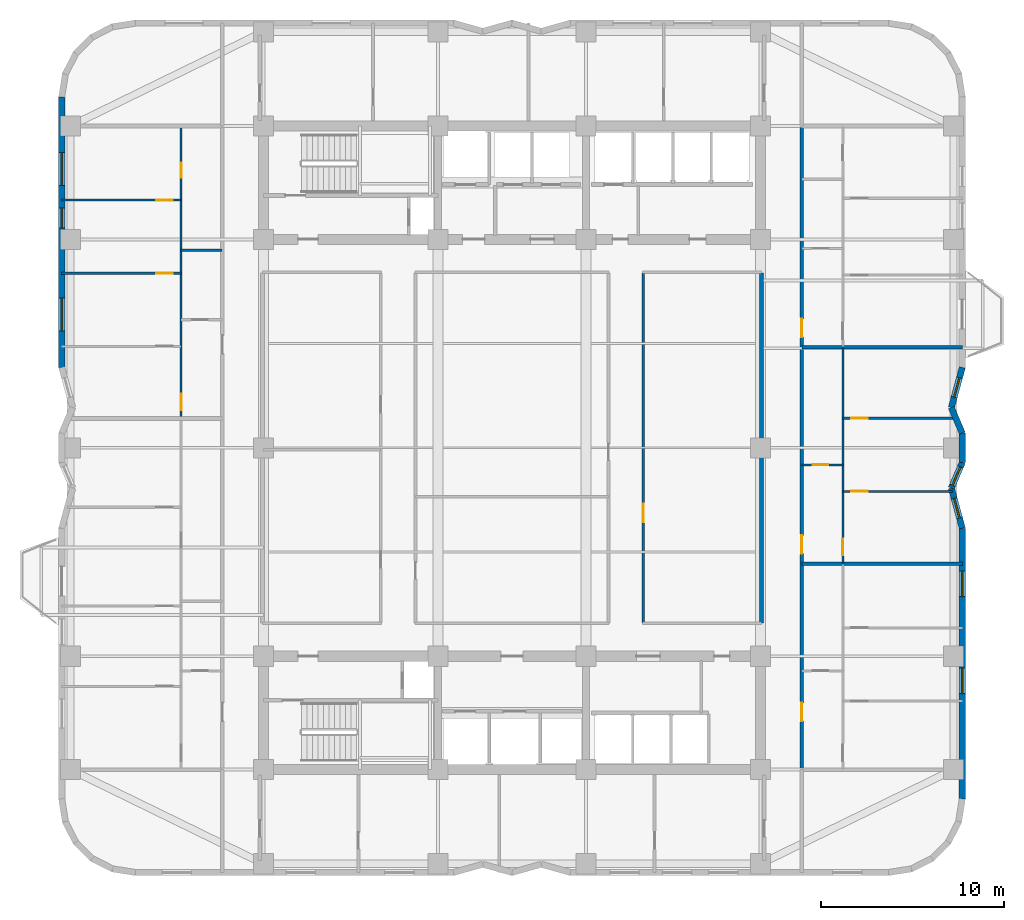
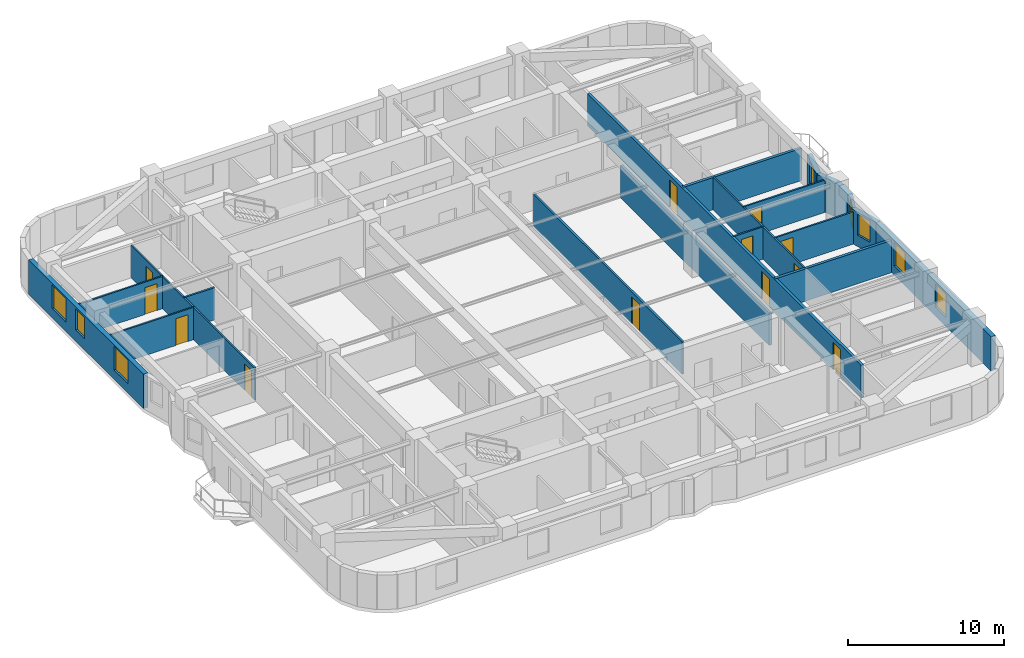
# One storey, part 5 of 9: 20 walls, 12 doors, 8 windows, 20 openings.
"""IFC4 building model written with IfcOpenShell, lengths in metres."""

import ifcopenshell
import ifcopenshell.guid

model = None  # the IFC model being written
_history = None  # IfcOwnerHistory: only IFC2X3 demands one
_inside = {}  # id of a spatial element -> (the spatial element, [elements in it])
_under = {}  # id of a project, library or spatial element -> (it, [spatial elements below it])
_declared = {}  # id of a project -> (the project, [libraries it declares])
_typed = {}  # id of a type object -> (the type object, [elements of that type])
_made_of = {}  # id of a material, layer set ... -> (it, [elements and type objects made of it])


def new_model(schema):
    """Start an empty IFC model of exactly this schema.

    Asked for "IFC4X3", IfcOpenShell would pick the latest addendum, in which some entities
    have other attributes; the version numbers below select the first issue.
    IFC2X3 requires an IfcOwnerHistory on every rooted entity: one is made here for all.
    """
    global model, _history
    if schema == "IFC4X3":
        model = ifcopenshell.file(schema_version=(4, 3, 0, 0))
    else:
        model = ifcopenshell.file(schema=schema)
    _inside.clear()
    _under.clear()
    _declared.clear()
    _typed.clear()
    _made_of.clear()
    _history = None
    if model.schema == "IFC2X3":
        org = make("IfcOrganization", Name="unknown")
        user = make(
            "IfcPersonAndOrganization",
            ThePerson=make("IfcPerson", FamilyName="unknown"),
            TheOrganization=org,
        )
        app = make(
            "IfcApplication",
            ApplicationDeveloper=org,
            Version="unknown",
            ApplicationFullName="unknown",
            ApplicationIdentifier="unknown",
        )
        _history = make(
            "IfcOwnerHistory",
            OwningUser=user,
            OwningApplication=app,
            ChangeAction="ADDED",
            CreationDate=0,
        )
    return model


def make(cls, **values):
    """One entity of the class cls with the attributes given. An attribute that is None is left unset."""
    return model.create_entity(
        cls, **{name: value for name, value in values.items() if value is not None}
    )


def rooted(cls, **values):
    """An entity with a GlobalId (a new one), such as an element, a storey or a relation."""
    return make(cls, GlobalId=ifcopenshell.guid.new(), OwnerHistory=_history, **values)


def si_unit(unit_type, name, prefix=None):
    """IfcSIUnit, for example si_unit("LENGTHUNIT", "METRE", prefix="MILLI")."""
    return make("IfcSIUnit", UnitType=unit_type, Prefix=prefix, Name=name)


def assignment(units):
    """IfcUnitAssignment: the units of a project."""
    return None if units is None else make("IfcUnitAssignment", Units=units)


def point(xyz):
    """IfcCartesianPoint."""
    return None if xyz is None else make("IfcCartesianPoint", Coordinates=xyz)


def direction(xyz):
    """IfcDirection."""
    return None if xyz is None else make("IfcDirection", DirectionRatios=xyz)


def frame(location, z_axis=None, x_axis=None):
    """IfcAxis2Placement3D, a coordinate frame: its origin and axes. An axis left out is left unset."""
    return make(
        "IfcAxis2Placement3D",
        Location=point(location),
        Axis=direction(z_axis),
        RefDirection=direction(x_axis),
    )


def frame_2d(location, x_axis=None):
    """IfcAxis2Placement2D, a coordinate frame in the plane: its origin and x axis."""
    return make(
        "IfcAxis2Placement2D", Location=point(location), RefDirection=direction(x_axis)
    )


def origin():
    """The frame at (0, 0, 0) with its axes left unset."""
    return frame((0.0, 0.0, 0.0))


def place(relative_to, where):
    """IfcLocalPlacement: puts the frame where relative to a parent placement (None: the world)."""
    return make(
        "IfcLocalPlacement", PlacementRelTo=relative_to, RelativePlacement=where
    )


def context(
    kind, dimensions, precision=None, world=None, true_north=None, identifier=None
):
    """IfcGeometricRepresentationContext, for example the 3D "Model" context."""
    return make(
        "IfcGeometricRepresentationContext",
        ContextIdentifier=identifier,
        ContextType=kind,
        CoordinateSpaceDimension=dimensions,
        Precision=precision,
        WorldCoordinateSystem=world,
        TrueNorth=true_north,
    )


def subcontext(parent, identifier, kind, view, scale=None):
    """IfcGeometricRepresentationSubContext, for example "Body" below "Model"."""
    return make(
        "IfcGeometricRepresentationSubContext",
        ContextIdentifier=identifier,
        ContextType=kind,
        ParentContext=parent,
        TargetScale=scale,
        TargetView=view,
    )


def project(units=None, contexts=None):
    """IfcProject with its units and contexts."""
    return rooted(
        "IfcProject",
        Name="project",
        RepresentationContexts=contexts,
        UnitsInContext=assignment(units),
    )


def spatial(cls, under=None, at=None, **own):
    """A site, building, storey or space (cls), placed at a placement, below another one or the project."""
    s = rooted(cls, ObjectPlacement=at, **own)
    if under is not None:
        _under.setdefault(under.id(), (under, []))[1].append(s)
    return s


def profile(cls, at=None, kind="AREA", **sizes):
    """A parametric profile (cls). Its sizes go by their IFC names, for example OverallWidth=200.0."""
    return make(cls, ProfileType=kind, Position=at, **sizes)


def rectangle(**sizes):
    """IfcRectangleProfileDef."""
    return profile("IfcRectangleProfileDef", **sizes)


def extrude(swept, where, along, depth):
    """IfcExtrudedAreaSolid: the profile swept, set in the frame where, extruded along a direction by depth."""
    return make(
        "IfcExtrudedAreaSolid",
        SweptArea=swept,
        Position=where,
        ExtrudedDirection=direction(along),
        Depth=depth,
    )


def shape(context_of_items, identifier, shape_type, items):
    """IfcShapeRepresentation: the items that make up one representation, for example the "Body"."""
    return make(
        "IfcShapeRepresentation",
        ContextOfItems=context_of_items,
        RepresentationIdentifier=identifier,
        RepresentationType=shape_type,
        Items=items,
    )


def material(Name=None, Category=None):
    """IfcMaterial."""
    return make("IfcMaterial", Name=Name, Category=Category)


def layer(
    of_material, thickness, ventilated=None, Name=None, Category=None, Priority=None
):
    """IfcMaterialLayer: one layer of a wall or slab, of a material (None: an air gap)."""
    return make(
        "IfcMaterialLayer",
        Material=of_material,
        LayerThickness=thickness,
        IsVentilated=ventilated,
        Name=Name,
        Category=Category,
        Priority=Priority,
    )


def layer_set(layers, Name=None):
    """IfcMaterialLayerSet."""
    return make("IfcMaterialLayerSet", MaterialLayers=layers, LayerSetName=Name)


def made_of(thing, what):
    """Note that an element or type object is made of a material, layer set ...; save() writes the relation."""
    if what is not None:
        _made_of.setdefault(what.id(), (what, []))[1].append(thing)
    return thing


def type_object(cls, material=None, **own):
    """A type object (cls), such as IfcWallType, which elements share."""
    return made_of(rooted(cls, **own), material)


def element(
    cls,
    number,
    at=None,
    inside=None,
    cuts=None,
    type_object=None,
    material=None,
    context=None,
    identifier="Body",
    shape_type=None,
    held_by="IfcProductDefinitionShape",
    body=None,
    shapes=None,
    **own,
):
    """One element of the class cls, such as IfcWall. Its Tag is "e" and its number.

    at: its placement. inside: the storey or other place that contains it. cuts: it is an
    opening in that element (IfcRelVoidsElement). A single representation is given by context,
    identifier, shape_type and body (its items); several are given by shapes. held_by: the class
    of the entity that holds the representations. save() writes the other relations.
    """
    e = rooted(cls, Tag="e%d" % number, ObjectPlacement=at, **own)
    if body is not None:
        shapes = [shape(context, identifier, shape_type, body)]
    if shapes is not None:
        e.Representation = make(held_by, Representations=shapes)
    if inside is not None:
        _inside.setdefault(inside.id(), (inside, []))[1].append(e)
    if cuts is not None:
        rooted(
            "IfcRelVoidsElement", RelatingBuildingElement=cuts, RelatedOpeningElement=e
        )
    if type_object is not None:
        _typed.setdefault(type_object.id(), (type_object, []))[1].append(e)
    return made_of(e, material)


def fill(opening, filler):
    """IfcRelFillsElement: the door or window that sits in an opening."""
    return rooted(
        "IfcRelFillsElement",
        RelatingOpeningElement=opening,
        RelatedBuildingElement=filler,
    )


def aggregate(whole, parts):
    """IfcRelAggregates: a whole, such as a stair, and the parts it consists of."""
    return rooted("IfcRelAggregates", RelatingObject=whole, RelatedObjects=parts)


def save(model, path):
    """Write the relations noted so far, then the file.

    IfcRelAggregates (storeys below a building ...), IfcRelContainedInSpatialStructure (elements
    in a storey), IfcRelDefinesByType, IfcRelAssociatesMaterial and IfcRelDeclares: one each for
    every whole, place, type object, material and project.
    """
    for whole, parts in _under.values():
        aggregate(whole, parts)
    for where, things in _inside.values():
        rooted(
            "IfcRelContainedInSpatialStructure",
            RelatedElements=things,
            RelatingStructure=where,
        )
    for kind, things in _typed.values():
        rooted("IfcRelDefinesByType", RelatedObjects=things, RelatingType=kind)
    for what, things in _made_of.values():
        rooted("IfcRelAssociatesMaterial", RelatedObjects=things, RelatingMaterial=what)
    for by, libraries in _declared.values():
        rooted("IfcRelDeclares", RelatingContext=by, RelatedDefinitions=libraries)
    model.write(path)


model = new_model("IFC4")

# Units and contexts
model_context = context("Model", 3, precision=1e-05, world=origin(), true_north=direction((0.0, 1.0)))
body_context = subcontext(model_context, "Body", "Model", "MODEL_VIEW")
ifc_project = project(units=[si_unit("LENGTHUNIT", "METRE"), si_unit("AREAUNIT", "SQUARE_METRE"), si_unit("VOLUMEUNIT", "CUBIC_METRE"), si_unit("PLANEANGLEUNIT", "RADIAN"), si_unit("MASSUNIT", "GRAM", prefix="KILO")], contexts=[model_context])

# Site, building, storey
site_placement = place(None, origin())
site = spatial("IfcSite", under=ifc_project, at=site_placement, CompositionType="ELEMENT")
building_placement = place(site_placement, origin())
building = spatial("IfcBuilding", under=site, at=building_placement, Name="Svetorya Sky Lyceum", CompositionType="ELEMENT")
storey_placement = place(building_placement, frame((0.0, 0.0, 88.300048828125)))
storey = spatial("IfcBuildingStorey", under=building, at=storey_placement, Name="L21", CompositionType="ELEMENT", Elevation=88.300048828125)

# Wall, openings, windows
ifc_material_1 = material(Name="Putilovo limestone rainscreen on autoclaved cellular masonry", Category="masonry")
ifc_layer_1 = layer(ifc_material_1, 0.340087890625)
ifc_layer_set_1 = layer_set([ifc_layer_1], Name="Putilovo limestone rainscreen on autoclaved cellular masonry")
wall_type_1 = type_object("IfcWallType", Name="WL-EXT-340", PredefinedType="SOLIDWALL", material=ifc_layer_set_1)
wall_1_placement = place(storey_placement, frame((63.830078125, 9.0, 0.0), z_axis=(0.0, 0.0, 1.0), x_axis=(0.0, 1.0, 0.0)))
wall_1 = element("IfcWall", 1, at=wall_1_placement, inside=storey, type_object=wall_type_1, Name="L21 Limestone Exterior Wall 17M", PredefinedType="SOLIDWALL", context=body_context, shape_type="SweptSolid", body=[
    extrude(rectangle(XDim=14.800048828125, YDim=0.340087890625, at=frame_2d((7.39990234375, 0.0))), origin(), (0.0, 0.0, 1.0), 2.699951171875),
])
opening_1_placement = place(wall_1_placement, frame((5.760009765625, 0.0, 0.68994140625)))
opening_1 = element("IfcOpeningElement", 2, at=opening_1_placement, cuts=wall_1, Name="Opening W-R2", PredefinedType="OPENING", context=body_context, shape_type="SweptSolid", body=[
    extrude(rectangle(XDim=1.39990234375, YDim=1.85009765625, at=frame_2d((0.699951171875, 0.925048828125))), frame((0.0, 0.179931640625, 0.0), z_axis=(0.0, -1.0, 0.0), x_axis=(1.0, 0.0, 0.0)), (0.0, 0.0, 1.0), 0.360107421875),
])
opening_2_placement = place(wall_1_placement, frame((11.0625, 0.0, 0.72998046875)))
opening_2 = element("IfcOpeningElement", 3, at=opening_2_placement, cuts=wall_1, Name="Opening W-R2", PredefinedType="OPENING", context=body_context, shape_type="SweptSolid", body=[
    extrude(rectangle(XDim=1.39990234375, YDim=1.85009765625, at=frame_2d((0.699951171875, 0.925048828125))), frame((0.0, 0.179931640625, 0.0), z_axis=(0.0, -1.0, 0.0), x_axis=(1.0, 0.0, 0.0)), (0.0, 0.0, 1.0), 0.360107421875),
])
ifc_material_2 = material(Name="Thermally broken aluminium frame with triple low-E glazing", Category="aluminium")
window_type_1 = type_object("IfcWindowType", Name="WN-RES-140", PartitioningType="SINGLE_PANEL", PredefinedType="WINDOW", material=ifc_material_2)
window_1_placement = place(opening_1_placement, origin())
window_1 = element("IfcWindow", 4, at=window_1_placement, inside=storey, type_object=window_type_1, Name="L21 Facade Window W-R2.17M.2", OverallHeight=1.85009765625, OverallWidth=1.39990234375, PartitioningType="SINGLE_PANEL", PredefinedType="WINDOW", context=body_context, shape_type="SweptSolid", body=[
    extrude(rectangle(XDim=1.39990234375, YDim=1.85009765625, at=frame_2d((0.699951171875, 0.925048828125))), frame((0.0, 0.030029296875, 0.0), z_axis=(0.0, -1.0, 0.0), x_axis=(1.0, 0.0, 0.0)), (0.0, 0.0, 1.0), 0.06005859375),
])
fill(opening_1, window_1)
window_2_placement = place(opening_2_placement, origin())
window_2 = element("IfcWindow", 5, at=window_2_placement, inside=storey, type_object=window_type_1, Name="L21 Facade Window W-R2.17M.1", OverallHeight=1.85009765625, OverallWidth=1.39990234375, PartitioningType="SINGLE_PANEL", PredefinedType="WINDOW", context=body_context, shape_type="SweptSolid", body=[
    extrude(rectangle(XDim=1.39990234375, YDim=1.85009765625, at=frame_2d((0.699951171875, 0.925048828125))), frame((0.0, 0.030029296875, 0.0), z_axis=(0.0, -1.0, 0.0), x_axis=(1.0, 0.0, 0.0)), (0.0, 0.0, 1.0), 0.06005859375),
])
fill(opening_2, window_2)

# Wall, opening, window
wall_2_placement = place(storey_placement, frame((63.830078125, 23.800048828125, 0.0), z_axis=(0.0, 0.0, 1.0), x_axis=(-0.263162701705, 0.964751466665, 0.0)))
wall_2 = element("IfcWall", 6, at=wall_2_placement, inside=storey, type_object=wall_type_1, Name="L21 Limestone Exterior Wall 18M", PredefinedType="SOLIDWALL", context=body_context, shape_type="SweptSolid", body=[
    extrude(rectangle(XDim=2.2802734375, YDim=0.340087890625, at=frame_2d((1.14013671875, 0.0))), origin(), (0.0, 0.0, 1.0), 2.699951171875),
])
opening_3_placement = place(wall_2_placement, frame((0.590087890625, 0.0, 0.889892578125)))
opening_3 = element("IfcOpeningElement", 7, at=opening_3_placement, cuts=wall_2, Name="Opening W-R3", PredefinedType="OPENING", context=body_context, shape_type="SweptSolid", body=[
    extrude(rectangle(XDim=1.10009765625, YDim=1.64990234375, at=frame_2d((0.550048828125, 0.824951171875))), frame((0.0, 0.179931640625, 0.0), z_axis=(0.0, -1.0, 0.0), x_axis=(1.0, 0.0, 0.0)), (0.0, 0.0, 1.0), 0.360107421875),
])
window_type_2 = type_object("IfcWindowType", Name="WN-RES-110", PartitioningType="SINGLE_PANEL", PredefinedType="WINDOW", material=ifc_material_2)
window_3_placement = place(opening_3_placement, origin())
window_3 = element("IfcWindow", 8, at=window_3_placement, inside=storey, type_object=window_type_2, Name="L21 Facade Window W-R3.18M.1", OverallHeight=1.64990234375, OverallWidth=1.10009765625, PartitioningType="SINGLE_PANEL", PredefinedType="WINDOW", context=body_context, shape_type="SweptSolid", body=[
    extrude(rectangle(XDim=1.10009765625, YDim=1.64990234375, at=frame_2d((0.550048828125, 0.824951171875))), frame((0.0, 0.030029296875, 0.0), z_axis=(0.0, -1.0, 0.0), x_axis=(1.0, 0.0, 0.0)), (0.0, 0.0, 1.0), 0.06005859375),
])
fill(opening_3, window_3)

wall_3_placement = place(storey_placement, frame((63.22998046875, 26.0, 0.0), z_axis=(0.0, 0.0, 1.0), x_axis=(0.39399667932, 0.919111862988, 0.0)))
wall_3 = element("IfcWall", 9, at=wall_3_placement, inside=storey, type_object=wall_type_1, Name="L21 Limestone Exterior Wall 19M", PredefinedType="SOLIDWALL", context=body_context, shape_type="SweptSolid", body=[
    extrude(rectangle(XDim=1.523193359375, YDim=0.340087890625, at=frame_2d((0.76171875, 0.0))), origin(), (0.0, 0.0, 1.0), 2.699951171875),
])
opening_4_placement = place(wall_3_placement, frame((0.159912109375, 0.0, 0.889892578125)))
opening_4 = element("IfcOpeningElement", 10, at=opening_4_placement, cuts=wall_3, Name="Opening W-R3", PredefinedType="OPENING", context=body_context, shape_type="SweptSolid", body=[
    extrude(rectangle(XDim=1.10009765625, YDim=1.64990234375, at=frame_2d((0.550048828125, 0.824951171875))), frame((0.0, 0.179931640625, 0.0), z_axis=(0.0, -1.0, 0.0), x_axis=(1.0, 0.0, 0.0)), (0.0, 0.0, 1.0), 0.360107421875),
])
window_4_placement = place(opening_4_placement, origin())
window_4 = element("IfcWindow", 11, at=window_4_placement, inside=storey, type_object=window_type_2, Name="L21 Facade Window W-R3.19M.1", OverallHeight=1.64990234375, OverallWidth=1.10009765625, PartitioningType="SINGLE_PANEL", PredefinedType="WINDOW", context=body_context, shape_type="SweptSolid", body=[
    extrude(rectangle(XDim=1.10009765625, YDim=1.64990234375, at=frame_2d((0.550048828125, 0.824951171875))), frame((0.0, 0.030029296875, 0.0), z_axis=(0.0, -1.0, 0.0), x_axis=(1.0, 0.0, 0.0)), (0.0, 0.0, 1.0), 0.06005859375),
])
fill(opening_4, window_4)

# Walls
wall_4_placement = place(storey_placement, frame((63.830078125, 27.39990234375, 0.0), z_axis=(0.0, 0.0, 1.0), x_axis=(0.0, 1.0, 0.0)))
element("IfcWall", 12, at=wall_4_placement, inside=storey, type_object=wall_type_1, Name="L21 Limestone Exterior Wall 20M", PredefinedType="SOLIDWALL", context=body_context, shape_type="SweptSolid", body=[
    extrude(rectangle(XDim=1.60009765625, YDim=0.340087890625, at=frame_2d((0.800048828125, 0.0))), origin(), (0.0, 0.0, 1.0), 2.699951171875),
])
wall_5_placement = place(storey_placement, frame((63.830078125, 29.0, 0.0), z_axis=(0.0, 0.0, 1.0), x_axis=(-0.39399667932, 0.919111862988, 0.0)))
element("IfcWall", 13, at=wall_5_placement, inside=storey, type_object=wall_type_1, Name="L21 Limestone Exterior Wall 21M", PredefinedType="SOLIDWALL", context=body_context, shape_type="SweptSolid", body=[
    extrude(rectangle(XDim=1.523193359375, YDim=0.340087890625, at=frame_2d((0.76171875, 0.0))), origin(), (0.0, 0.0, 1.0), 2.699951171875),
])

# Wall, opening, window
wall_6_placement = place(storey_placement, frame((63.22998046875, 30.39990234375, 0.0), z_axis=(0.0, 0.0, 1.0), x_axis=(0.263135522356, 0.964758880174, 0.0)))
wall_6 = element("IfcWall", 14, at=wall_6_placement, inside=storey, type_object=wall_type_1, Name="L21 Limestone Exterior Wall 22M", PredefinedType="SOLIDWALL", context=body_context, shape_type="SweptSolid", body=[
    extrude(rectangle(XDim=2.280517578125, YDim=0.340087890625, at=frame_2d((1.14013671875, 0.0))), origin(), (0.0, 0.0, 1.0), 2.699951171875),
])
opening_5_placement = place(wall_6_placement, frame((0.590087890625, 0.0, 0.889892578125)))
opening_5 = element("IfcOpeningElement", 15, at=opening_5_placement, cuts=wall_6, Name="Opening W-R3", PredefinedType="OPENING", context=body_context, shape_type="SweptSolid", body=[
    extrude(rectangle(XDim=1.10009765625, YDim=1.64990234375, at=frame_2d((0.550048828125, 0.824951171875))), frame((0.0, 0.179931640625, 0.0), z_axis=(0.0, -1.0, 0.0), x_axis=(1.0, 0.0, 0.0)), (0.0, 0.0, 1.0), 0.360107421875),
])
window_5_placement = place(opening_5_placement, origin())
window_5 = element("IfcWindow", 16, at=window_5_placement, inside=storey, type_object=window_type_2, Name="L21 Facade Window W-R3.22M.1", OverallHeight=1.64990234375, OverallWidth=1.10009765625, PartitioningType="SINGLE_PANEL", PredefinedType="WINDOW", context=body_context, shape_type="SweptSolid", body=[
    extrude(rectangle(XDim=1.10009765625, YDim=1.64990234375, at=frame_2d((0.550048828125, 0.824951171875))), frame((0.0, 0.030029296875, 0.0), z_axis=(0.0, -1.0, 0.0), x_axis=(1.0, 0.0, 0.0)), (0.0, 0.0, 1.0), 0.06005859375),
])
fill(opening_5, window_5)

# Wall, openings, windows
wall_7_placement = place(storey_placement, frame((14.570068359375, 47.39990234375, 0.0), z_axis=(0.0, 0.0, 1.0), x_axis=(0.0, -1.0, 0.0)))
wall_7 = element("IfcWall", 17, at=wall_7_placement, inside=storey, type_object=wall_type_1, Name="L21 Limestone Exterior Wall 40M", PredefinedType="SOLIDWALL", context=body_context, shape_type="SweptSolid", body=[
    extrude(rectangle(XDim=14.7998046875, YDim=0.340087890625, at=frame_2d((7.39990234375, 0.0))), origin(), (0.0, 0.0, 1.0), 2.699951171875),
])
opening_6_placement = place(wall_7_placement, frame((3.050048828125, 0.0, 0.72998046875)))
opening_6 = element("IfcOpeningElement", 18, at=opening_6_placement, cuts=wall_7, Name="Opening W-R1", PredefinedType="OPENING", context=body_context, shape_type="SweptSolid", body=[
    extrude(rectangle(XDim=1.800048828125, YDim=1.85009765625, at=frame_2d((0.89990234375, 0.925048828125))), frame((0.0, 0.179931640625, 0.0), z_axis=(0.0, -1.0, 0.0), x_axis=(1.0, 0.0, 0.0)), (0.0, 0.0, 1.0), 0.360107421875),
])
opening_7_placement = place(wall_7_placement, frame((6.080078125, 0.0, 0.889892578125)))
opening_7 = element("IfcOpeningElement", 19, at=opening_7_placement, cuts=wall_7, Name="Opening W-R3", PredefinedType="OPENING", context=body_context, shape_type="SweptSolid", body=[
    extrude(rectangle(XDim=1.10009765625, YDim=1.64990234375, at=frame_2d((0.550048828125, 0.824951171875))), frame((0.0, 0.179931640625, 0.0), z_axis=(0.0, -1.0, 0.0), x_axis=(1.0, 0.0, 0.0)), (0.0, 0.0, 1.0), 0.360107421875),
])
opening_8_placement = place(wall_7_placement, frame((11.0, 0.0, 0.72998046875)))
opening_8 = element("IfcOpeningElement", 20, at=opening_8_placement, cuts=wall_7, Name="Opening W-R1", PredefinedType="OPENING", context=body_context, shape_type="SweptSolid", body=[
    extrude(rectangle(XDim=1.800048828125, YDim=1.85009765625, at=frame_2d((0.89990234375, 0.925048828125))), frame((0.0, 0.179931640625, 0.0), z_axis=(0.0, -1.0, 0.0), x_axis=(1.0, 0.0, 0.0)), (0.0, 0.0, 1.0), 0.360107421875),
])
window_6_placement = place(opening_7_placement, origin())
window_6 = element("IfcWindow", 21, at=window_6_placement, inside=storey, type_object=window_type_2, Name="L21 Facade Window W-R3.40M.3", OverallHeight=1.64990234375, OverallWidth=1.10009765625, PartitioningType="SINGLE_PANEL", PredefinedType="WINDOW", context=body_context, shape_type="SweptSolid", body=[
    extrude(rectangle(XDim=1.10009765625, YDim=1.64990234375, at=frame_2d((0.550048828125, 0.824951171875))), frame((0.0, 0.030029296875, 0.0), z_axis=(0.0, -1.0, 0.0), x_axis=(1.0, 0.0, 0.0)), (0.0, 0.0, 1.0), 0.06005859375),
])
fill(opening_7, window_6)
window_type_3 = type_object("IfcWindowType", Name="WN-RES-180", PartitioningType="DOUBLE_PANEL_VERTICAL", PredefinedType="WINDOW", material=ifc_material_2)
window_7_placement = place(opening_6_placement, origin())
window_7 = element("IfcWindow", 22, at=window_7_placement, inside=storey, type_object=window_type_3, Name="L21 Facade Window W-R1.40M.1", OverallHeight=1.85009765625, OverallWidth=1.800048828125, PartitioningType="SINGLE_PANEL", PredefinedType="WINDOW", context=body_context, shape_type="SweptSolid", body=[
    extrude(rectangle(XDim=1.800048828125, YDim=1.85009765625, at=frame_2d((0.89990234375, 0.925048828125))), frame((0.0, 0.030029296875, 0.0), z_axis=(0.0, -1.0, 0.0), x_axis=(1.0, 0.0, 0.0)), (0.0, 0.0, 1.0), 0.06005859375),
])
fill(opening_6, window_7)
window_8_placement = place(opening_8_placement, origin())
window_8 = element("IfcWindow", 23, at=window_8_placement, inside=storey, type_object=window_type_3, Name="L21 Facade Window W-R1.40M.2", OverallHeight=1.85009765625, OverallWidth=1.800048828125, PartitioningType="SINGLE_PANEL", PredefinedType="WINDOW", context=body_context, shape_type="SweptSolid", body=[
    extrude(rectangle(XDim=1.800048828125, YDim=1.85009765625, at=frame_2d((0.89990234375, 0.925048828125))), frame((0.0, 0.030029296875, 0.0), z_axis=(0.0, -1.0, 0.0), x_axis=(1.0, 0.0, 0.0)), (0.0, 0.0, 1.0), 0.06005859375),
])
fill(opening_8, window_8)

# Wall, opening, door
ifc_material_3 = material(Name="Twin-stud galvanized framing with double fireboard", Category="gypsum")
ifc_layer_2 = layer(ifc_material_3, 0.1201171875)
ifc_layer_set_2 = layer_set([ifc_layer_2], Name="Twin-stud galvanized framing with double fireboard")
wall_type_2 = type_object("IfcWallType", Name="WL-PART-120", PredefinedType="PARTITIONING", material=ifc_layer_set_2)
wall_8_placement = place(storey_placement, frame((14.570068359375, 37.75, 0.0), z_axis=(0.0, 0.0, 1.0), x_axis=(1.0, 0.0, 0.0)))
wall_8 = element("IfcWall", 24, at=wall_8_placement, inside=storey, type_object=wall_type_2, Name="L21 Interior Partition W2-WL2", PredefinedType="PARTITIONING", context=body_context, shape_type="SweptSolid", body=[
    extrude(rectangle(XDim=6.530029296875, YDim=0.1201171875, at=frame_2d((3.26513671875, 0.0))), origin(), (0.0, 0.0, 1.0), 2.530029296875),
])
opening_9_placement = place(wall_8_placement, frame((5.179931640625, 0.0, 0.0)))
opening_9 = element("IfcOpeningElement", 25, at=opening_9_placement, cuts=wall_8, Name="Opening D-RM1", PredefinedType="OPENING", context=body_context, shape_type="SweptSolid", body=[
    extrude(rectangle(XDim=0.89990234375, YDim=2.10009765625, at=frame_2d((0.449951171875, 1.050048828125))), frame((0.0, 0.070068359375, 0.0), z_axis=(0.0, -1.0, 0.0), x_axis=(1.0, 0.0, 0.0)), (0.0, 0.0, 1.0), 0.14013671875),
])
ifc_material_4 = material(Name="Lacquered birch veneer internal door")
door_type_1 = type_object("IfcDoorType", Name="DR-INT-900", OperationType="SINGLE_SWING_LEFT", PredefinedType="DOOR", material=ifc_material_4)
door_1_placement = place(opening_9_placement, origin())
door_1 = element("IfcDoor", 26, at=door_1_placement, inside=storey, type_object=door_type_1, Name="Apartment W2 Bedroom 2 Door", OperationType="SINGLE_SWING_LEFT", OverallHeight=2.10009765625, OverallWidth=0.89990234375, PredefinedType="DOOR", context=body_context, shape_type="SweptSolid", body=[
    extrude(rectangle(XDim=0.89990234375, YDim=2.10009765625, at=frame_2d((0.449951171875, 1.050048828125))), frame((0.0, 0.02490234375, 0.0), z_axis=(0.0, -1.0, 0.0), x_axis=(1.0, 0.0, 0.0)), (0.0, 0.0, 1.0), 0.050048828125),
])
fill(opening_9, door_1)

wall_9_placement = place(storey_placement, frame((14.570068359375, 41.75, 0.0), z_axis=(0.0, 0.0, 1.0), x_axis=(1.0, 0.0, 0.0)))
wall_9 = element("IfcWall", 27, at=wall_9_placement, inside=storey, type_object=wall_type_2, Name="L21 Interior Partition W2-WL3", PredefinedType="PARTITIONING", context=body_context, shape_type="SweptSolid", body=[
    extrude(rectangle(XDim=6.530029296875, YDim=0.1201171875, at=frame_2d((3.26513671875, 0.0))), origin(), (0.0, 0.0, 1.0), 2.530029296875),
])
opening_10_placement = place(wall_9_placement, frame((5.179931640625, 0.0, 0.0)))
opening_10 = element("IfcOpeningElement", 28, at=opening_10_placement, cuts=wall_9, Name="Opening D-RM1", PredefinedType="OPENING", context=body_context, shape_type="SweptSolid", body=[
    extrude(rectangle(XDim=0.89990234375, YDim=2.10009765625, at=frame_2d((0.449951171875, 1.050048828125))), frame((0.0, 0.070068359375, 0.0), z_axis=(0.0, -1.0, 0.0), x_axis=(1.0, 0.0, 0.0)), (0.0, 0.0, 1.0), 0.14013671875),
])
door_2_placement = place(opening_10_placement, origin())
door_2 = element("IfcDoor", 29, at=door_2_placement, inside=storey, type_object=door_type_1, Name="Apartment W2 Bedroom 3 Door", OperationType="SINGLE_SWING_RIGHT", OverallHeight=2.10009765625, OverallWidth=0.89990234375, PredefinedType="DOOR", context=body_context, shape_type="SweptSolid", body=[
    extrude(rectangle(XDim=0.89990234375, YDim=2.10009765625, at=frame_2d((0.449951171875, 1.050048828125))), frame((0.0, 0.02490234375, 0.0), z_axis=(0.0, -1.0, 0.0), x_axis=(1.0, 0.0, 0.0)), (0.0, 0.0, 1.0), 0.050048828125),
])
fill(opening_10, door_2)

# Wall, openings, doors
wall_10_placement = place(storey_placement, frame((21.10009765625, 29.840087890625, 0.0), z_axis=(0.0, 0.0, 1.0), x_axis=(0.0, 1.0, 0.0)))
wall_10 = element("IfcWall", 30, at=wall_10_placement, inside=storey, type_object=wall_type_2, Name="L21 Interior Partition W2-WV", PredefinedType="PARTITIONING", context=body_context, shape_type="SweptSolid", body=[
    extrude(rectangle(XDim=15.919921875, YDim=0.1201171875, at=frame_2d((7.9599609375, 0.0))), origin(), (0.0, 0.0, 1.0), 2.530029296875),
])
opening_11_placement = place(wall_10_placement, frame((0.409912109375, 0.0, 0.0)))
opening_11 = element("IfcOpeningElement", 31, at=opening_11_placement, cuts=wall_10, Name="Opening D-RM1", PredefinedType="OPENING", context=body_context, shape_type="SweptSolid", body=[
    extrude(rectangle(XDim=0.89990234375, YDim=2.10009765625, at=frame_2d((0.449951171875, 1.050048828125))), frame((0.0, 0.070068359375, 0.0), z_axis=(0.0, -1.0, 0.0), x_axis=(1.0, 0.0, 0.0)), (0.0, 0.0, 1.0), 0.14013671875),
])
opening_12_placement = place(wall_10_placement, frame((13.125, 0.0, 0.0)))
opening_12 = element("IfcOpeningElement", 32, at=opening_12_placement, cuts=wall_10, Name="Opening D-BT2", PredefinedType="OPENING", context=body_context, shape_type="SweptSolid", body=[
    extrude(rectangle(XDim=0.820068359375, YDim=2.080078125, at=frame_2d((0.41015625, 1.0400390625))), frame((0.0, 0.070068359375, 0.0), z_axis=(0.0, -1.0, 0.0), x_axis=(1.0, 0.0, 0.0)), (0.0, 0.0, 1.0), 0.14013671875),
])
door_3_placement = place(opening_11_placement, origin())
door_3 = element("IfcDoor", 33, at=door_3_placement, inside=storey, type_object=door_type_1, Name="Apartment W2 Living Door", OperationType="SINGLE_SWING_LEFT", OverallHeight=2.10009765625, OverallWidth=0.89990234375, PredefinedType="DOOR", context=body_context, shape_type="SweptSolid", body=[
    extrude(rectangle(XDim=0.89990234375, YDim=2.10009765625, at=frame_2d((0.449951171875, 1.050048828125))), frame((0.0, 0.02490234375, 0.0), z_axis=(0.0, -1.0, 0.0), x_axis=(1.0, 0.0, 0.0)), (0.0, 0.0, 1.0), 0.050048828125),
])
fill(opening_11, door_3)
ifc_material_5 = material(Name="Compact moisture-resistant laminate closet door")
door_type_2 = type_object("IfcDoorType", Name="DR-WET-820", OperationType="SINGLE_SWING_LEFT", PredefinedType="DOOR", material=ifc_material_5)
door_4_placement = place(opening_12_placement, origin())
door_4 = element("IfcDoor", 34, at=door_4_placement, inside=storey, type_object=door_type_2, Name="Apartment W2 Study Door", OperationType="SINGLE_SWING_RIGHT", OverallHeight=2.080078125, OverallWidth=0.820068359375, PredefinedType="DOOR", context=body_context, shape_type="SweptSolid", body=[
    extrude(rectangle(XDim=0.820068359375, YDim=2.080078125, at=frame_2d((0.41015625, 1.0400390625))), frame((0.0, 0.02490234375, 0.0), z_axis=(0.0, -1.0, 0.0), x_axis=(1.0, 0.0, 0.0)), (0.0, 0.0, 1.0), 0.050048828125),
])
fill(opening_12, door_4)

# Wall, opening, door
wall_11_placement = place(storey_placement, frame((55.050048828125, 27.263916015625, 0.0), z_axis=(0.0, 0.0, 1.0), x_axis=(1.0, 0.0, 0.0)))
wall_11 = element("IfcWall", 35, at=wall_11_placement, inside=storey, type_object=wall_type_2, Name="L21 Interior Partition E2-WH1", PredefinedType="PARTITIONING", context=body_context, shape_type="SweptSolid", body=[
    extrude(rectangle(XDim=2.25, YDim=0.1201171875, at=frame_2d((1.125, 0.0))), origin(), (0.0, 0.0, 1.0), 2.530029296875),
])
opening_13_placement = place(wall_11_placement, frame((0.60009765625, 0.0, 0.0)))
opening_13 = element("IfcOpeningElement", 36, at=opening_13_placement, cuts=wall_11, Name="Opening D-BT1", PredefinedType="OPENING", context=body_context, shape_type="SweptSolid", body=[
    extrude(rectangle(XDim=0.85009765625, YDim=2.10009765625, at=frame_2d((0.425048828125, 1.050048828125))), frame((0.0, 0.070068359375, 0.0), z_axis=(0.0, -1.0, 0.0), x_axis=(1.0, 0.0, 0.0)), (0.0, 0.0, 1.0), 0.14013671875),
])
ifc_material_6 = material(Name="Moisture-resistant laminate bathroom door")
door_type_3 = type_object("IfcDoorType", Name="DR-WET-850", OperationType="SINGLE_SWING_LEFT", PredefinedType="DOOR", material=ifc_material_6)
door_5_placement = place(opening_13_placement, origin())
door_5 = element("IfcDoor", 37, at=door_5_placement, inside=storey, type_object=door_type_3, Name="Apartment E2 Bathroom Door", OperationType="SINGLE_SWING_LEFT", OverallHeight=2.10009765625, OverallWidth=0.85009765625, PredefinedType="DOOR", context=body_context, shape_type="SweptSolid", body=[
    extrude(rectangle(XDim=0.85009765625, YDim=2.10009765625, at=frame_2d((0.425048828125, 1.050048828125))), frame((0.0, 0.02490234375, 0.0), z_axis=(0.0, -1.0, 0.0), x_axis=(1.0, 0.0, 0.0)), (0.0, 0.0, 1.0), 0.050048828125),
])
fill(opening_13, door_5)

wall_12_placement = place(storey_placement, frame((57.300048828125, 25.81396484375, 0.0), z_axis=(0.0, 0.0, 1.0), x_axis=(1.0, 0.0, 0.0)))
wall_12 = element("IfcWall", 38, at=wall_12_placement, inside=storey, type_object=wall_type_2, Name="L21 Interior Partition E2-WL1", PredefinedType="PARTITIONING", context=body_context, shape_type="SweptSolid", body=[
    extrude(rectangle(XDim=5.980712890625, YDim=0.1201171875, at=frame_2d((2.990234375, 0.0))), origin(), (0.0, 0.0, 1.0), 2.530029296875),
])
opening_14_placement = place(wall_12_placement, frame((0.449951171875, 0.0, 0.0)))
opening_14 = element("IfcOpeningElement", 39, at=opening_14_placement, cuts=wall_12, Name="Opening D-RM1", PredefinedType="OPENING", context=body_context, shape_type="SweptSolid", body=[
    extrude(rectangle(XDim=0.89990234375, YDim=2.10009765625, at=frame_2d((0.449951171875, 1.050048828125))), frame((0.0, 0.070068359375, 0.0), z_axis=(0.0, -1.0, 0.0), x_axis=(1.0, 0.0, 0.0)), (0.0, 0.0, 1.0), 0.14013671875),
])
door_6_placement = place(opening_14_placement, origin())
door_6 = element("IfcDoor", 40, at=door_6_placement, inside=storey, type_object=door_type_1, Name="Apartment E2 Master Bedroom Door", OperationType="SINGLE_SWING_LEFT", OverallHeight=2.10009765625, OverallWidth=0.89990234375, PredefinedType="DOOR", context=body_context, shape_type="SweptSolid", body=[
    extrude(rectangle(XDim=0.89990234375, YDim=2.10009765625, at=frame_2d((0.449951171875, 1.050048828125))), frame((0.0, 0.02490234375, 0.0), z_axis=(0.0, -1.0, 0.0), x_axis=(1.0, 0.0, 0.0)), (0.0, 0.0, 1.0), 0.050048828125),
])
fill(opening_14, door_6)

wall_13_placement = place(storey_placement, frame((57.300048828125, 29.81396484375, 0.0), z_axis=(0.0, 0.0, 1.0), x_axis=(1.0, 0.0, 0.0)))
wall_13 = element("IfcWall", 41, at=wall_13_placement, inside=storey, type_object=wall_type_2, Name="L21 Interior Partition E2-WL2", PredefinedType="PARTITIONING", context=body_context, shape_type="SweptSolid", body=[
    extrude(rectangle(XDim=6.18115234375, YDim=0.1201171875, at=frame_2d((3.090576171875, 0.0))), origin(), (0.0, 0.0, 1.0), 2.530029296875),
])
opening_15_placement = place(wall_13_placement, frame((0.449951171875, 0.0, 0.0)))
opening_15 = element("IfcOpeningElement", 42, at=opening_15_placement, cuts=wall_13, Name="Opening D-RM1", PredefinedType="OPENING", context=body_context, shape_type="SweptSolid", body=[
    extrude(rectangle(XDim=0.89990234375, YDim=2.10009765625, at=frame_2d((0.449951171875, 1.050048828125))), frame((0.0, 0.070068359375, 0.0), z_axis=(0.0, -1.0, 0.0), x_axis=(1.0, 0.0, 0.0)), (0.0, 0.0, 1.0), 0.14013671875),
])
door_7_placement = place(opening_15_placement, origin())
door_7 = element("IfcDoor", 43, at=door_7_placement, inside=storey, type_object=door_type_1, Name="Apartment E2 Bedroom 2 Door", OperationType="SINGLE_SWING_RIGHT", OverallHeight=2.10009765625, OverallWidth=0.89990234375, PredefinedType="DOOR", context=body_context, shape_type="SweptSolid", body=[
    extrude(rectangle(XDim=0.89990234375, YDim=2.10009765625, at=frame_2d((0.449951171875, 1.050048828125))), frame((0.0, 0.02490234375, 0.0), z_axis=(0.0, -1.0, 0.0), x_axis=(1.0, 0.0, 0.0)), (0.0, 0.0, 1.0), 0.050048828125),
])
fill(opening_15, door_7)

wall_14_placement = place(storey_placement, frame((57.300048828125, 21.904052734375, 0.0), z_axis=(0.0, 0.0, 1.0), x_axis=(0.0, 1.0, 0.0)))
wall_14 = element("IfcWall", 44, at=wall_14_placement, inside=storey, type_object=wall_type_2, Name="L21 Interior Partition E2-WV", PredefinedType="PARTITIONING", context=body_context, shape_type="SweptSolid", body=[
    extrude(rectangle(XDim=11.755859375, YDim=0.1201171875, at=frame_2d((5.8779296875, 0.0))), origin(), (0.0, 0.0, 1.0), 2.530029296875),
])
opening_16_placement = place(wall_14_placement, frame((0.409912109375, 0.0, 0.0)))
opening_16 = element("IfcOpeningElement", 45, at=opening_16_placement, cuts=wall_14, Name="Opening D-RM1", PredefinedType="OPENING", context=body_context, shape_type="SweptSolid", body=[
    extrude(rectangle(XDim=0.89990234375, YDim=2.10009765625, at=frame_2d((0.449951171875, 1.050048828125))), frame((0.0, 0.070068359375, 0.0), z_axis=(0.0, -1.0, 0.0), x_axis=(1.0, 0.0, 0.0)), (0.0, 0.0, 1.0), 0.14013671875),
])
door_8_placement = place(opening_16_placement, origin())
door_8 = element("IfcDoor", 46, at=door_8_placement, inside=storey, type_object=door_type_1, Name="Apartment E2 Living Door", OperationType="SINGLE_SWING_RIGHT", OverallHeight=2.10009765625, OverallWidth=0.89990234375, PredefinedType="DOOR", context=body_context, shape_type="SweptSolid", body=[
    extrude(rectangle(XDim=0.89990234375, YDim=2.10009765625, at=frame_2d((0.449951171875, 1.050048828125))), frame((0.0, 0.02490234375, 0.0), z_axis=(0.0, -1.0, 0.0), x_axis=(1.0, 0.0, 0.0)), (0.0, 0.0, 1.0), 0.050048828125),
])
fill(opening_16, door_8)

# Wall
ifc_material_7 = material(Name="Twin-stud galvanized framing with acoustic board", Category="gypsum")
ifc_layer_3 = layer(ifc_material_7, 0.135009765625)
ifc_layer_set_3 = layer_set([ifc_layer_3], Name="Twin-stud galvanized framing with acoustic board")
wall_type_3 = type_object("IfcWallType", Name="WL-PART-135", PredefinedType="PARTITIONING", material=ifc_layer_set_3)
wall_15_placement = place(storey_placement, frame((21.10009765625, 39.0, 0.0), z_axis=(0.0, 0.0, 1.0), x_axis=(1.0, 0.0, 0.0)))
element("IfcWall", 47, at=wall_15_placement, inside=storey, type_object=wall_type_3, Name="L21 Interior Partition W2-WH2", PredefinedType="PARTITIONING", context=body_context, shape_type="SweptSolid", body=[
    extrude(rectangle(XDim=2.25, YDim=0.135009765625, at=frame_2d((1.125, 0.0))), origin(), (0.0, 0.0, 1.0), 2.530029296875),
])

# Wall, opening, door
ifc_material_8 = material(Name="Autoclaved cellular masonry blockwork with acoustic render", Category="masonry")
ifc_layer_4 = layer(ifc_material_8, 0.14990234375)
ifc_layer_set_4 = layer_set([ifc_layer_4], Name="Autoclaved cellular masonry blockwork with acoustic render")
wall_type_4 = type_object("IfcWallType", Name="WL-PART-150", PredefinedType="PARTITIONING", material=ifc_layer_set_4)
wall_16_placement = place(storey_placement, frame((46.3798828125, 18.6298828125, 0.0), z_axis=(0.0, 0.0, 1.0), x_axis=(0.0, 1.0, 0.0)))
wall_16 = element("IfcWall", 48, at=wall_16_placement, inside=storey, type_object=wall_type_4, Name="L21 Interior Partition ISL-EE", PredefinedType="PARTITIONING", context=body_context, shape_type="SweptSolid", body=[
    extrude(rectangle(XDim=19.14013671875, YDim=0.14990234375, at=frame_2d((9.570068359375, 0.0))), origin(), (0.0, 0.0, 1.0), 2.530029296875),
])
opening_17_placement = place(wall_16_placement, frame((5.5, 0.0, 0.0)))
opening_17 = element("IfcOpeningElement", 49, at=opening_17_placement, cuts=wall_16, Name="Opening D-RM2", PredefinedType="OPENING", context=body_context, shape_type="SweptSolid", body=[
    extrude(rectangle(XDim=1.0, YDim=2.14990234375, at=frame_2d((0.5, 1.074951171875))), frame((0.0, 0.0849609375, 0.0), z_axis=(0.0, -1.0, 0.0), x_axis=(1.0, 0.0, 0.0)), (0.0, 0.0, 1.0), 0.169921875),
])
ifc_material_9 = material(Name="Solid-core oak acoustic room door")
door_type_4 = type_object("IfcDoorType", Name="DR-INT-1000", OperationType="SINGLE_SWING_LEFT", PredefinedType="DOOR", material=ifc_material_9)
door_9_placement = place(opening_17_placement, origin())
door_9 = element("IfcDoor", 50, at=door_9_placement, inside=storey, type_object=door_type_4, Name="L21 East Seminar Door", OperationType="SINGLE_SWING_LEFT", OverallHeight=2.14990234375, OverallWidth=1.0, PredefinedType="DOOR", context=body_context, shape_type="SweptSolid", body=[
    extrude(rectangle(XDim=1.0, YDim=2.14990234375, at=frame_2d((0.5, 1.074951171875))), frame((0.0, 0.02490234375, 0.0), z_axis=(0.0, -1.0, 0.0), x_axis=(1.0, 0.0, 0.0)), (0.0, 0.0, 1.0), 0.050048828125),
])
fill(opening_17, door_9)

# Walls
ifc_material_10 = material(Name="Autoclaved cellular masonry blockwork with gypsum plaster", Category="masonry")
ifc_layer_5 = layer(ifc_material_10, 0.199951171875)
ifc_layer_set_5 = layer_set([ifc_layer_5], Name="Autoclaved cellular masonry blockwork with gypsum plaster")
wall_type_5 = type_object("IfcWallType", Name="WL-PART-200", PredefinedType="PARTITIONING", material=ifc_layer_set_5)
wall_17_placement = place(storey_placement, frame((52.85009765625, 18.6298828125, 0.0), z_axis=(0.0, 0.0, 1.0), x_axis=(0.0, 1.0, 0.0)))
element("IfcWall", 51, at=wall_17_placement, inside=storey, type_object=wall_type_5, Name="L21 Interior Partition E-CEN-SEP", PredefinedType="PARTITIONING", context=body_context, shape_type="SweptSolid", body=[
    extrude(rectangle(XDim=19.14013671875, YDim=0.199951171875, at=frame_2d((9.570068359375, 0.0))), origin(), (0.0, 0.0, 1.0), 2.530029296875),
])
for number, where, z_axis, x_axis, name in (
    (52, (55.050048828125, 21.864013671875, 0.0), (0.0, 0.0, 1.0), (1.0, 0.0, 0.0), "L21 Interior Partition E-PARTY-1"),
    (53, (55.050048828125, 33.699951171875, 0.0), (0.0, 0.0, 1.0), (1.0, 0.0, 0.0), "L21 Interior Partition E-PARTY-2"),
):
    element("IfcWall", number, at=place(storey_placement, frame(where, z_axis=z_axis, x_axis=x_axis)), inside=storey, type_object=wall_type_5, Name=name, PredefinedType="PARTITIONING", context=body_context, shape_type="SweptSolid", body=[
        extrude(rectangle(XDim=8.780029296875, YDim=0.199951171875, at=frame_2d((4.39013671875, 0.0))), origin(), (0.0, 0.0, 1.0), 2.530029296875),
    ])

# Wall, openings, doors
wall_18_placement = place(storey_placement, frame((55.050048828125, 10.60009765625, 0.0), z_axis=(0.0, 0.0, 1.0), x_axis=(0.0, 1.0, 0.0)))
wall_18 = element("IfcWall", 54, at=wall_18_placement, inside=storey, type_object=wall_type_5, Name="L21 Interior Partition E-CORRW", PredefinedType="PARTITIONING", context=body_context, shape_type="SweptSolid", body=[
    extrude(rectangle(XDim=35.199951171875, YDim=0.199951171875, at=frame_2d((17.60009765625, 0.0))), origin(), (0.0, 0.0, 1.0), 2.530029296875),
])
opening_18_placement = place(wall_18_placement, frame((2.64990234375, 0.0, 0.0)))
opening_18 = element("IfcOpeningElement", 55, at=opening_18_placement, cuts=wall_18, Name="Opening D-APT1", PredefinedType="OPENING", context=body_context, shape_type="SweptSolid", body=[
    extrude(rectangle(XDim=1.0, YDim=2.14990234375, at=frame_2d((0.5, 1.074951171875))), frame((0.0, 0.10986328125, 0.0), z_axis=(0.0, -1.0, 0.0), x_axis=(1.0, 0.0, 0.0)), (0.0, 0.0, 1.0), 0.219970703125),
])
opening_19_placement = place(wall_18_placement, frame((11.81396484375, 0.0, 0.0)))
opening_19 = element("IfcOpeningElement", 56, at=opening_19_placement, cuts=wall_18, Name="Opening D-APT1", PredefinedType="OPENING", context=body_context, shape_type="SweptSolid", body=[
    extrude(rectangle(XDim=1.0, YDim=2.14990234375, at=frame_2d((0.5, 1.074951171875))), frame((0.0, 0.10986328125, 0.0), z_axis=(0.0, -1.0, 0.0), x_axis=(1.0, 0.0, 0.0)), (0.0, 0.0, 1.0), 0.219970703125),
])
opening_20_placement = place(wall_18_placement, frame((23.64990234375, 0.0, 0.0)))
opening_20 = element("IfcOpeningElement", 57, at=opening_20_placement, cuts=wall_18, Name="Opening D-APT1", PredefinedType="OPENING", context=body_context, shape_type="SweptSolid", body=[
    extrude(rectangle(XDim=1.0, YDim=2.14990234375, at=frame_2d((0.5, 1.074951171875))), frame((0.0, 0.10986328125, 0.0), z_axis=(0.0, -1.0, 0.0), x_axis=(1.0, 0.0, 0.0)), (0.0, 0.0, 1.0), 0.219970703125),
])
ifc_material_11 = material(Name="Insulated oak-veneered apartment entrance door")
door_type_5 = type_object("IfcDoorType", Name="DR-APT-1000", OperationType="SINGLE_SWING_LEFT", PredefinedType="DOOR", material=ifc_material_11)
door_10_placement = place(opening_18_placement, origin())
door_10 = element("IfcDoor", 58, at=door_10_placement, inside=storey, type_object=door_type_5, Name="L21 Apartment E1 Entrance Door", OperationType="SINGLE_SWING_RIGHT", OverallHeight=2.14990234375, OverallWidth=1.0, PredefinedType="DOOR", context=body_context, shape_type="SweptSolid", body=[
    extrude(rectangle(XDim=1.0, YDim=2.14990234375, at=frame_2d((0.5, 1.074951171875))), frame((0.0, 0.02490234375, 0.0), z_axis=(0.0, -1.0, 0.0), x_axis=(1.0, 0.0, 0.0)), (0.0, 0.0, 1.0), 0.050048828125),
])
fill(opening_18, door_10)
door_11_placement = place(opening_19_placement, origin())
door_11 = element("IfcDoor", 59, at=door_11_placement, inside=storey, type_object=door_type_5, Name="L21 Apartment E2 Entrance Door", OperationType="SINGLE_SWING_LEFT", OverallHeight=2.14990234375, OverallWidth=1.0, PredefinedType="DOOR", context=body_context, shape_type="SweptSolid", body=[
    extrude(rectangle(XDim=1.0, YDim=2.14990234375, at=frame_2d((0.5, 1.074951171875))), frame((0.0, 0.02490234375, 0.0), z_axis=(0.0, -1.0, 0.0), x_axis=(1.0, 0.0, 0.0)), (0.0, 0.0, 1.0), 0.050048828125),
])
fill(opening_19, door_11)
door_12_placement = place(opening_20_placement, origin())
door_12 = element("IfcDoor", 60, at=door_12_placement, inside=storey, type_object=door_type_5, Name="L21 Apartment E3 Entrance Door", OperationType="SINGLE_SWING_RIGHT", OverallHeight=2.14990234375, OverallWidth=1.0, PredefinedType="DOOR", context=body_context, shape_type="SweptSolid", body=[
    extrude(rectangle(XDim=1.0, YDim=2.14990234375, at=frame_2d((0.5, 1.074951171875))), frame((0.0, 0.02490234375, 0.0), z_axis=(0.0, -1.0, 0.0), x_axis=(1.0, 0.0, 0.0)), (0.0, 0.0, 1.0), 0.050048828125),
])
fill(opening_20, door_12)

save(model, "model.ifc")
